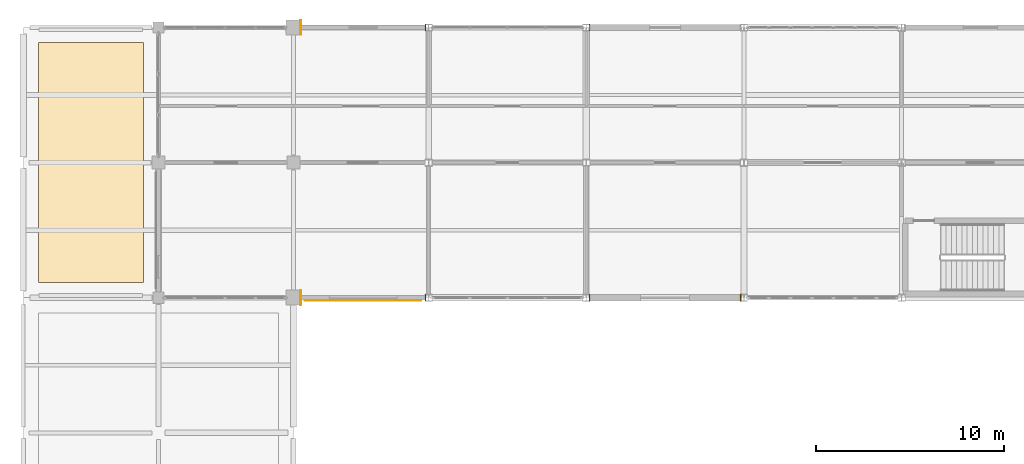
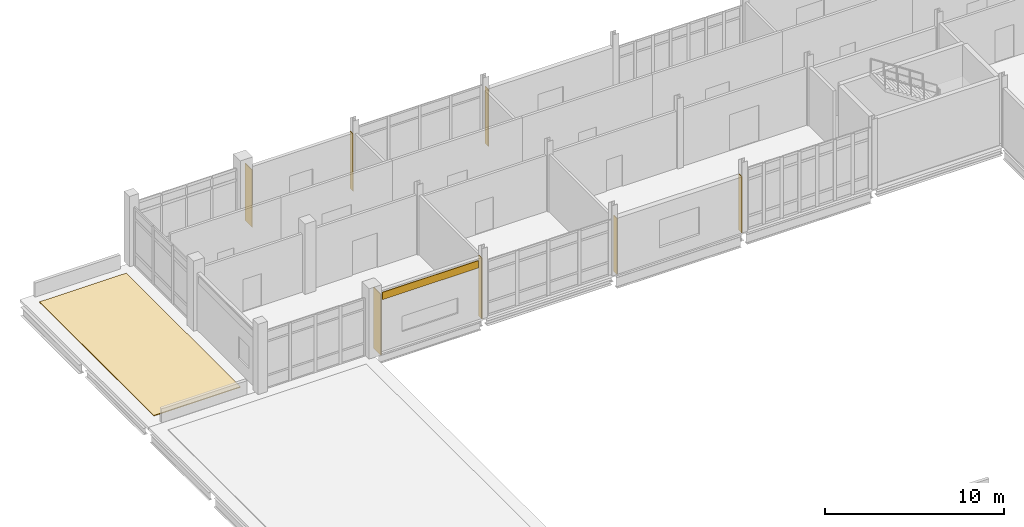
# One storey, part 178 of 186: 9 coverings.
"""IFC4 building model written with IfcOpenShell, lengths in metres."""

from ifc_helpers import new_model, si_unit, direction, frame, origin, origin_2d, place, context, subcontext, project, spatial, polyline, rectangle, outline, extrude, material, layer, layer_set, type_object, element, save


model = new_model("IFC4")

# Units and contexts
model_context = context("Model", 3, precision=1e-05, world=origin(), true_north=direction((0.0, 1.0)))
body_context = subcontext(model_context, "Body", "Model", "MODEL_VIEW")
ifc_project = project(units=[si_unit("LENGTHUNIT", "METRE"), si_unit("AREAUNIT", "SQUARE_METRE"), si_unit("VOLUMEUNIT", "CUBIC_METRE"), si_unit("PLANEANGLEUNIT", "RADIAN"), si_unit("MASSUNIT", "GRAM", prefix="KILO")], contexts=[model_context])

# Site, building, storey
site_placement = place(None, origin())
site = spatial("IfcSite", under=ifc_project, at=site_placement, CompositionType="ELEMENT")
building_placement = place(site_placement, origin())
building = spatial("IfcBuilding", under=site, at=building_placement, Name="Calvrana Isthmian Art Gallery", CompositionType="ELEMENT")
storey_placement = place(building_placement, frame((0.0, 0.0, 5.39990234375)))
storey = spatial("IfcBuildingStorey", under=building, at=storey_placement, Name="L01", CompositionType="ELEMENT", Elevation=5.39990234375)

# Coverings
ifc_material_1 = material(Name="Polychrome glazed terracotta", Category="masonry")
ifc_layer_1 = layer(ifc_material_1, 0.0400390625, Name="Polychrome glazed terracotta")
ifc_layer_set_1 = layer_set([ifc_layer_1], Name="Polychrome glazed terracotta")
covering_type_1 = type_object("IfcCoveringType", Name="COV-CLAD-TERRA", PredefinedType="CLADDING", material=ifc_layer_set_1)
covering_1_placement = place(storey_placement, origin())
element("IfcCovering", 1, at=covering_1_placement, inside=storey, type_object=covering_type_1, Name="Column pocket weather closure L01-02-13-W", PredefinedType="CLADDING", context=body_context, shape_type="SweptSolid", body=[
    extrude(outline(polyline([(14.760009765625, 98.0048828125), (14.800048828125, 98.0048828125), (14.800048828125, 98.794921875), (14.760009765625, 98.794921875), (14.760009765625, 98.0048828125)])), origin(), (0.0, 0.0, 1.0), 4.1640625),
])
covering_2_placement = place(storey_placement, origin())
element("IfcCovering", 2, at=covering_2_placement, inside=storey, type_object=covering_type_1, Name="Column pocket weather closure L01-02-13-E", PredefinedType="CLADDING", context=body_context, shape_type="SweptSolid", body=[
    extrude(outline(polyline([(21.416015625, 98.22705078125), (21.4560546875, 98.22705078125), (21.4560546875, 98.572998046875), (21.416015625, 98.572998046875), (21.416015625, 98.22705078125)])), origin(), (0.0, 0.0, 1.0), 4.1640625),
])
covering_3_placement = place(storey_placement, frame((18.10791015625, 98.257080078125, 3.564208984375), z_axis=(0.0, 0.0, 1.0), x_axis=(-1.0, 0.0, 0.0)))
element("IfcCovering", 3, at=covering_3_placement, inside=storey, type_object=covering_type_1, Name="Terracotta spandrel cladding 080", PredefinedType="CLADDING", context=body_context, shape_type="SweptSolid", body=[
    extrude(rectangle(XDim=6.216064453125, YDim=0.0400390625, at=origin_2d()), origin(), (0.0, 0.0, 1.0), 0.5),
])
covering_4_placement = place(storey_placement, origin())
element("IfcCovering", 4, at=covering_4_placement, inside=storey, type_object=covering_type_1, Name="Column pocket weather closure L01-04-13-W", PredefinedType="CLADDING", context=body_context, shape_type="SweptSolid", body=[
    extrude(outline(polyline([(30.146484375, 98.218505859375), (30.1865234375, 98.218505859375), (30.1865234375, 98.58154296875), (30.146484375, 98.58154296875), (30.146484375, 98.218505859375)])), origin(), (0.0, 0.0, 1.0), 3.8271484375),
])
covering_5_placement = place(storey_placement, origin())
element("IfcCovering", 5, at=covering_5_placement, inside=storey, type_object=covering_type_1, Name="Column pocket weather closure L01-04-13-E", PredefinedType="CLADDING", context=body_context, shape_type="SweptSolid", body=[
    extrude(outline(polyline([(38.21337890625, 98.220947265625), (38.25341796875, 98.220947265625), (38.25341796875, 98.5791015625), (38.21337890625, 98.5791015625), (38.21337890625, 98.220947265625)])), origin(), (0.0, 0.0, 1.0), 3.8271484375),
])
covering_6_placement = place(storey_placement, origin())
element("IfcCovering", 6, at=covering_6_placement, inside=storey, type_object=covering_type_1, Name="Column pocket weather closure L01-02-15-W", PredefinedType="CLADDING", context=body_context, shape_type="SweptSolid", body=[
    extrude(outline(polyline([(14.760009765625, 112.405029296875), (14.800048828125, 112.405029296875), (14.800048828125, 113.195068359375), (14.760009765625, 113.195068359375), (14.760009765625, 112.405029296875)])), origin(), (0.0, 0.0, 1.0), 3.9130859375),
])
covering_7_placement = place(storey_placement, origin())
element("IfcCovering", 7, at=covering_7_placement, inside=storey, type_object=covering_type_1, Name="Column pocket weather closure L01-02-15-E", PredefinedType="CLADDING", context=body_context, shape_type="SweptSolid", body=[
    extrude(outline(polyline([(21.41357421875, 112.62109375), (21.45361328125, 112.62109375), (21.45361328125, 112.97900390625), (21.41357421875, 112.97900390625), (21.41357421875, 112.62109375)])), origin(), (0.0, 0.0, 1.0), 3.9130859375),
])
covering_8_placement = place(storey_placement, origin())
element("IfcCovering", 8, at=covering_8_placement, inside=storey, type_object=covering_type_1, Name="Column pocket weather closure L01-04-15-W", PredefinedType="CLADDING", context=body_context, shape_type="SweptSolid", body=[
    extrude(outline(polyline([(30.1455078125, 112.62353515625), (30.185546875, 112.62353515625), (30.185546875, 112.9765625), (30.1455078125, 112.9765625), (30.1455078125, 112.62353515625)])), origin(), (0.0, 0.0, 1.0), 3.908203125),
])
ifc_material_2 = material(Name="Standing-seam zinc-aluminium roofing", Category="aluminium")
ifc_layer_2 = layer(ifc_material_2, 0.050048828125, Name="Standing-seam zinc-aluminium roofing")
ifc_layer_set_2 = layer_set([ifc_layer_2], Name="Standing-seam zinc-aluminium roofing")
covering_type_2 = type_object("IfcCoveringType", Name="COV-ROOF-ZINC", PredefinedType="ROOFING", material=ifc_layer_set_2)
covering_9_placement = place(storey_placement, origin())
element("IfcCovering", 9, at=covering_9_placement, inside=storey, type_object=covering_type_2, Name="Insulated roof membrane ROOF_V6NW_L01", PredefinedType="ROOFING", context=body_context, shape_type="SweptSolid", body=[
    extrude(outline(polyline([(0.800048828125, 99.199951171875), (6.39990234375, 99.199951171875), (6.39990234375, 112.0), (0.800048828125, 112.0), (0.800048828125, 99.199951171875)])), origin(), (0.0, 0.0, 1.0), 0.050048828125),
])

save(model, "model.ifc")
